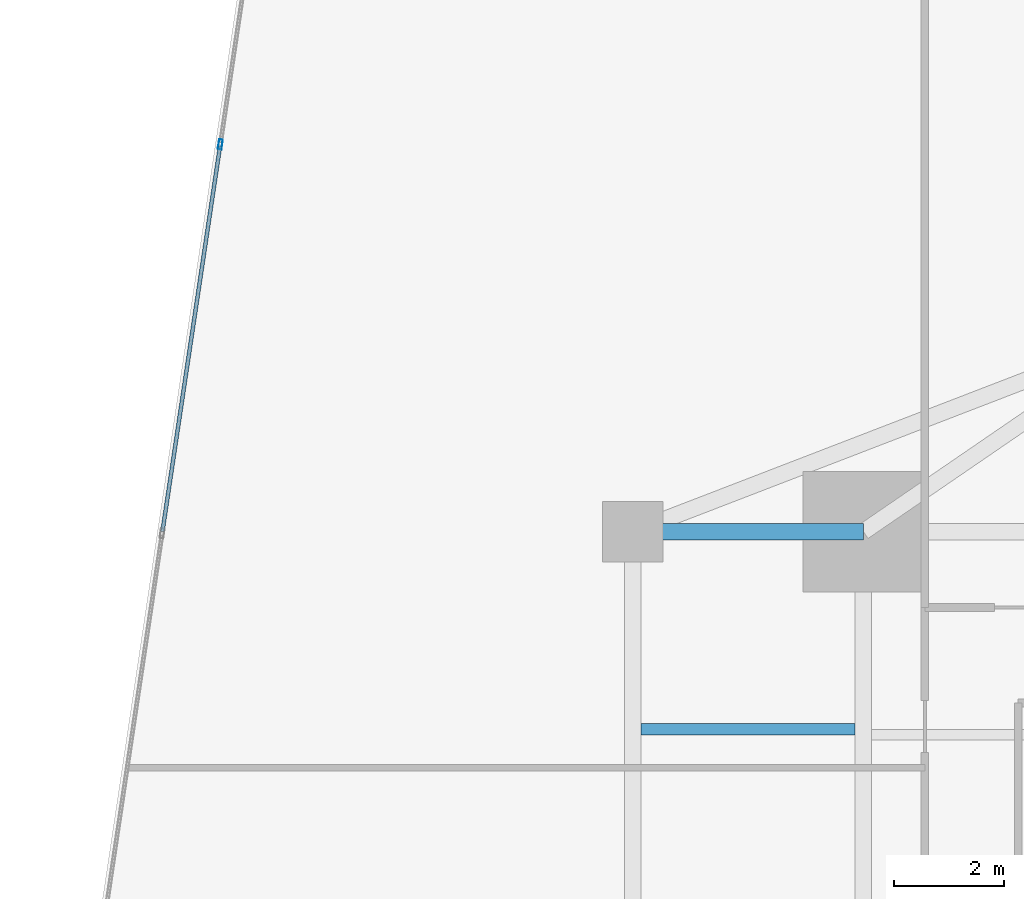
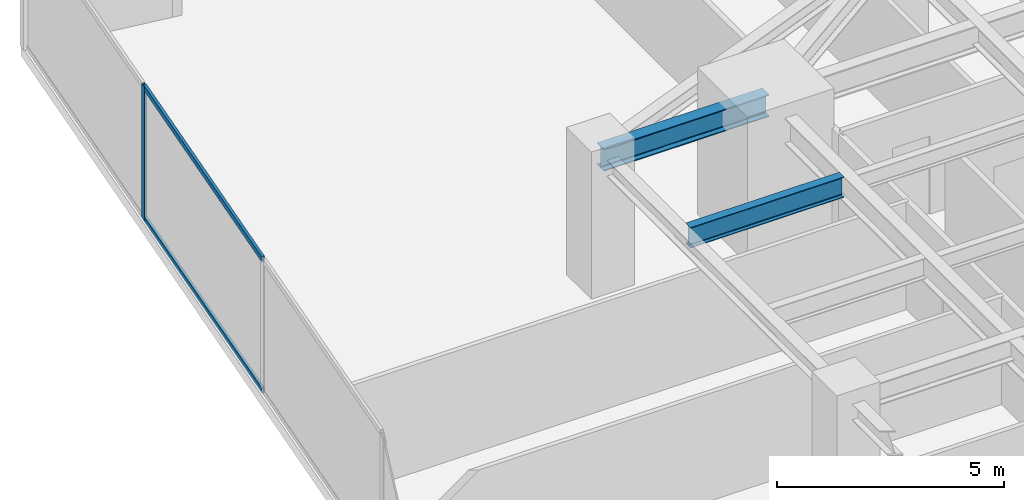
# One storey, part 16 of 29: 3 members, 2 beams, 1 element without a shape of its own.
"""IFC4 building model written with IfcOpenShell, lengths in metres."""

from ifc_helpers import new_model, si_unit, direction, frame, origin, origin_2d, place, context, subcontext, project, spatial, hollow_rectangle, i_section, extrude, source, transform, mapped, material, material_profile, profile_set, type_object, type_shapes, element, aggregate, save


model = new_model("IFC4")

# Units and contexts
model_context = context("Model", 3, precision=1e-05, world=origin(), true_north=direction((0.0, 1.0)))
body_context = subcontext(model_context, "Body", "Model", "MODEL_VIEW")
ifc_project = project(units=[si_unit("LENGTHUNIT", "METRE"), si_unit("AREAUNIT", "SQUARE_METRE"), si_unit("VOLUMEUNIT", "CUBIC_METRE"), si_unit("PLANEANGLEUNIT", "RADIAN"), si_unit("MASSUNIT", "GRAM", prefix="KILO")], contexts=[model_context])

# Site, building, storey
site_placement = place(None, origin())
site = spatial("IfcSite", under=ifc_project, at=site_placement, CompositionType="ELEMENT")
building_placement = place(site_placement, origin())
building = spatial("IfcBuilding", under=site, at=building_placement, Name="Krantzveldt Concourse Tower", CompositionType="ELEMENT")
storey_placement = place(building_placement, frame((0.0, 0.0, 76.35009765625)))
storey = spatial("IfcBuildingStorey", under=building, at=storey_placement, Name="L18", CompositionType="ELEMENT", Elevation=76.35009765625)

# Beams
ifc_material_1 = material(Name="Steel S355JR", Category="steel")
ifc_material_profile_1 = material_profile(ifc_material_1, i_section(OverallWidth=0.300048828125, OverallDepth=0.590087890625, WebThickness=0.012939453125, FlangeThickness=0.02490234375, FilletRadius=0.027099609375, at=origin_2d()), Name="Steel S355JR", Category="steel")
ifc_profile_set_1 = profile_set([ifc_material_profile_1], Name="Steel S355JR - HEA 600")
beam_type_1 = type_object("IfcBeamType", Name="BM-B-HEA600", PredefinedType="BEAM", material=ifc_profile_set_1)
shared_shape_1 = source(origin(), body_context, "Body", "SweptSolid", [
    extrude(i_section(OverallWidth=0.300048828125, OverallDepth=0.590087890625, WebThickness=0.012939453125, FlangeThickness=0.02490234375, FilletRadius=0.027099609375, at=origin_2d()), origin(), (0.0, 0.0, 1.0), 4.199951171875),
])
type_shapes(beam_type_1, [shared_shape_1])
beam_1_placement = place(storey_placement, frame((21.0, 37.5, 3.294921875), z_axis=(1.0, 0.0, 0.0), x_axis=(0.0, 1.0, 0.0)))
element("IfcBeam", 1, at=beam_1_placement, inside=storey, type_object=beam_type_1, Name="L18 Tower Girder BR-RL3", PredefinedType="BEAM", context=body_context, shape_type="MappedRepresentation", body=[
    mapped(shared_shape_1, transform((0.0, 0.0, 0.0), x_axis=(1.0, 0.0, 0.0), y_axis=(0.0, 1.0, 0.0), z_axis=(0.0, 0.0, 1.0), scale=1.0)),
])
ifc_material_profile_2 = material_profile(ifc_material_1, i_section(OverallWidth=0.2099609375, OverallDepth=0.550048828125, WebThickness=0.010986328125, FlangeThickness=0.01708984375, FilletRadius=0.02392578125, at=origin_2d()), Name="Steel S355JR", Category="steel")
ifc_profile_set_2 = profile_set([ifc_material_profile_2], Name="Steel S355JR - IPE 550")
beam_type_2 = type_object("IfcBeamType", Name="BM-J-IPE550", PredefinedType="JOIST", material=ifc_profile_set_2)
shared_shape_2 = source(origin(), body_context, "Body", "SweptSolid", [
    extrude(i_section(OverallWidth=0.2099609375, OverallDepth=0.550048828125, WebThickness=0.010986328125, FlangeThickness=0.01708984375, FilletRadius=0.02392578125, at=origin_2d()), origin(), (0.0, 0.0, 1.0), 3.900146484375),
])
type_shapes(beam_type_2, [shared_shape_2])
beam_2_placement = place(storey_placement, frame((21.14990234375, 33.89990234375, 3.31494140625), z_axis=(1.0, 0.0, 0.0), x_axis=(0.0, 1.0, 0.0)))
element("IfcBeam", 2, at=beam_2_placement, inside=storey, type_object=beam_type_2, Name="L18 Secondary Floor Joist JW-4", PredefinedType="JOIST", context=body_context, shape_type="MappedRepresentation", body=[
    mapped(shared_shape_2, transform((0.0, 0.0, 0.0), x_axis=(1.0, 0.0, 0.0), y_axis=(0.0, 1.0, 0.0), z_axis=(0.0, 0.0, 1.0), scale=1.0)),
])

# Curtain wall, members
ifc_material_2 = material(Name="Anodised aluminium 6063-T6", Category="aluminium")
curtain_wall_type = type_object("IfcCurtainWallType", Name="CW2", PredefinedType="USERDEFINED", material=ifc_material_2)
curtain_wall_placement = place(storey_placement, origin())
curtain_wall = element("IfcCurtainWall", 3, at=curtain_wall_placement, inside=storey, type_object=curtain_wall_type, Name="CW-L18-F01", ObjectType="UNITISED CURTAIN WALL", PredefinedType="USERDEFINED")
ifc_material_profile_3 = material_profile(ifc_material_2, hollow_rectangle(XDim=0.070068359375, YDim=0.139892578125, WallThickness=0.0048828125, at=origin_2d()), Name="Anodised aluminium 6063-T6", Category="aluminium")
ifc_profile_set_3 = profile_set([ifc_material_profile_3], Name="Anodised aluminium 6063-T6 - ALU-TRAN 140x70x5")
member_type_1 = type_object("IfcMemberType", Name="CW-TRN-150", PredefinedType="USERDEFINED", material=ifc_profile_set_3)
shared_shape_3 = source(origin(), body_context, "Body", "SweptSolid", [
    extrude(hollow_rectangle(XDim=0.070068359375, YDim=0.139892578125, WallThickness=0.0048828125, at=origin_2d()), origin(), (0.0, 0.0, 1.0), 7.0966796875),
])
type_shapes(member_type_1, [shared_shape_3])
member_1_placement = place(storey_placement, frame((13.47705078125, 44.523193359375, 0.034912109375), z_axis=(-0.147823987056, -0.989013684865, 0.0), x_axis=(0.989013684865, -0.147823987056, 0.0)))
member_1 = element("IfcMember", 4, at=member_1_placement, type_object=member_type_1, Name="CW-Z12 transom 2.1", ObjectType="TRANSOM", PredefinedType="USERDEFINED", context=body_context, shape_type="MappedRepresentation", body=[
    mapped(shared_shape_3, transform((0.0, 0.0, 0.0), x_axis=(1.0, 0.0, 0.0), y_axis=(0.0, 1.0, 0.0), z_axis=(0.0, 0.0, 1.0), scale=1.0)),
])
member_2_placement = place(storey_placement, frame((13.47705078125, 44.523193359375, 3.554931640625), z_axis=(-0.147823987056, -0.989013684865, 0.0), x_axis=(0.989013684865, -0.147823987056, 0.0)))
member_2 = element("IfcMember", 5, at=member_2_placement, type_object=member_type_1, Name="CW-Z12 transom 2.2", ObjectType="TRANSOM", PredefinedType="USERDEFINED", context=body_context, shape_type="MappedRepresentation", body=[
    mapped(shared_shape_3, transform((0.0, 0.0, 0.0), x_axis=(1.0, 0.0, 0.0), y_axis=(0.0, 1.0, 0.0), z_axis=(0.0, 0.0, 1.0), scale=1.0)),
])
ifc_material_profile_4 = material_profile(ifc_material_2, hollow_rectangle(XDim=0.070068359375, YDim=0.179931640625, WallThickness=0.0048828125, at=origin_2d()), Name="Anodised aluminium 6063-T6", Category="aluminium")
ifc_profile_set_4 = profile_set([ifc_material_profile_4], Name="Anodised aluminium 6063-T6 - ALU-MULL 180x70x5")
member_type_2 = type_object("IfcMemberType", Name="CW-MUL-180", PredefinedType="MULLION", material=ifc_profile_set_4)
shared_shape_4 = source(origin(), body_context, "Body", "SweptSolid", [
    extrude(hollow_rectangle(XDim=0.070068359375, YDim=0.179931640625, WallThickness=0.0048828125, at=origin_2d()), origin(), (0.0, 0.0, 1.0), 3.58984375),
])
type_shapes(member_type_2, [shared_shape_4])
member_3_placement = place(storey_placement, frame((13.482177734375, 44.557861328125, 0.0), z_axis=(0.0, 0.0, 1.0), x_axis=(0.989015849271, -0.147809505412, 0.0)))
member_3 = element("IfcMember", 6, at=member_3_placement, type_object=member_type_2, Name="CW-Z12 mullion 2", PredefinedType="MULLION", context=body_context, shape_type="MappedRepresentation", body=[
    mapped(shared_shape_4, transform((0.0, 0.0, 0.0), x_axis=(1.0, 0.0, 0.0), y_axis=(0.0, 1.0, 0.0), z_axis=(0.0, 0.0, 1.0), scale=1.0)),
])
aggregate(curtain_wall, [member_3, member_1, member_2])

save(model, "model.ifc")
